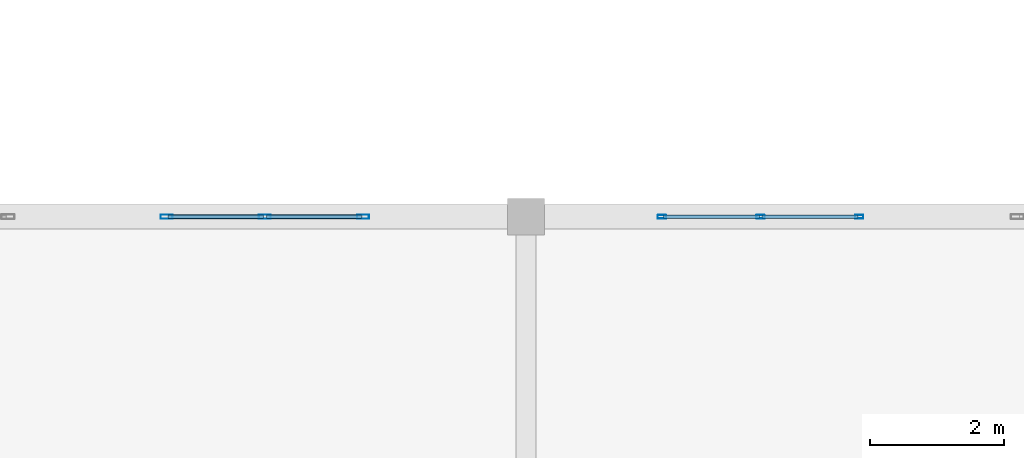
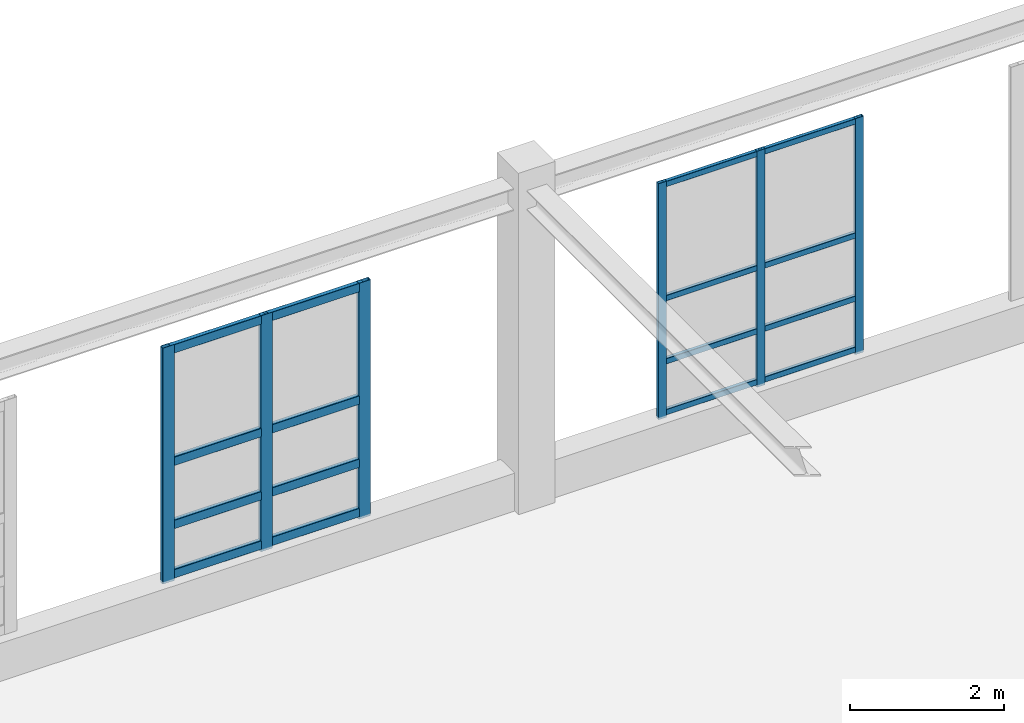
# One storey, part 87 of 197: 22 members, 2 elements without a shape of their own.
"""IFC4 building model written with IfcOpenShell, lengths in metres."""

import ifcopenshell
import ifcopenshell.guid

model = None  # the IFC model being written
_history = None  # IfcOwnerHistory: only IFC2X3 demands one
_inside = {}  # id of a spatial element -> (the spatial element, [elements in it])
_under = {}  # id of a project, library or spatial element -> (it, [spatial elements below it])
_declared = {}  # id of a project -> (the project, [libraries it declares])
_typed = {}  # id of a type object -> (the type object, [elements of that type])
_made_of = {}  # id of a material, layer set ... -> (it, [elements and type objects made of it])


def new_model(schema):
    """Start an empty IFC model of exactly this schema.

    Asked for "IFC4X3", IfcOpenShell would pick the latest addendum, in which some entities
    have other attributes; the version numbers below select the first issue.
    IFC2X3 requires an IfcOwnerHistory on every rooted entity: one is made here for all.
    """
    global model, _history
    if schema == "IFC4X3":
        model = ifcopenshell.file(schema_version=(4, 3, 0, 0))
    else:
        model = ifcopenshell.file(schema=schema)
    _inside.clear()
    _under.clear()
    _declared.clear()
    _typed.clear()
    _made_of.clear()
    _history = None
    if model.schema == "IFC2X3":
        org = make("IfcOrganization", Name="unknown")
        user = make(
            "IfcPersonAndOrganization",
            ThePerson=make("IfcPerson", FamilyName="unknown"),
            TheOrganization=org,
        )
        app = make(
            "IfcApplication",
            ApplicationDeveloper=org,
            Version="unknown",
            ApplicationFullName="unknown",
            ApplicationIdentifier="unknown",
        )
        _history = make(
            "IfcOwnerHistory",
            OwningUser=user,
            OwningApplication=app,
            ChangeAction="ADDED",
            CreationDate=0,
        )
    return model


def make(cls, **values):
    """One entity of the class cls with the attributes given. An attribute that is None is left unset."""
    return model.create_entity(
        cls, **{name: value for name, value in values.items() if value is not None}
    )


def rooted(cls, **values):
    """An entity with a GlobalId (a new one), such as an element, a storey or a relation."""
    return make(cls, GlobalId=ifcopenshell.guid.new(), OwnerHistory=_history, **values)


def si_unit(unit_type, name, prefix=None):
    """IfcSIUnit, for example si_unit("LENGTHUNIT", "METRE", prefix="MILLI")."""
    return make("IfcSIUnit", UnitType=unit_type, Prefix=prefix, Name=name)


def derived_unit(unit_type, elements):
    """IfcDerivedUnit: a product of units, each with its exponent."""
    return make(
        "IfcDerivedUnit",
        Elements=[
            make("IfcDerivedUnitElement", Unit=unit, Exponent=power)
            for unit, power in elements
        ],
        UnitType=unit_type,
    )


def assignment(units):
    """IfcUnitAssignment: the units of a project."""
    return None if units is None else make("IfcUnitAssignment", Units=units)


def point(xyz):
    """IfcCartesianPoint."""
    return None if xyz is None else make("IfcCartesianPoint", Coordinates=xyz)


def direction(xyz):
    """IfcDirection."""
    return None if xyz is None else make("IfcDirection", DirectionRatios=xyz)


def frame(location, z_axis=None, x_axis=None):
    """IfcAxis2Placement3D, a coordinate frame: its origin and axes. An axis left out is left unset."""
    return make(
        "IfcAxis2Placement3D",
        Location=point(location),
        Axis=direction(z_axis),
        RefDirection=direction(x_axis),
    )


def frame_2d(location, x_axis=None):
    """IfcAxis2Placement2D, a coordinate frame in the plane: its origin and x axis."""
    return make(
        "IfcAxis2Placement2D", Location=point(location), RefDirection=direction(x_axis)
    )


def origin():
    """The frame at (0, 0, 0) with its axes left unset."""
    return frame((0.0, 0.0, 0.0))


def origin_2d():
    """The frame at (0, 0) in the plane with its x axis left unset."""
    return frame_2d((0.0, 0.0))


def place(relative_to, where):
    """IfcLocalPlacement: puts the frame where relative to a parent placement (None: the world)."""
    return make(
        "IfcLocalPlacement", PlacementRelTo=relative_to, RelativePlacement=where
    )


def context(
    kind, dimensions, precision=None, world=None, true_north=None, identifier=None
):
    """IfcGeometricRepresentationContext, for example the 3D "Model" context."""
    return make(
        "IfcGeometricRepresentationContext",
        ContextIdentifier=identifier,
        ContextType=kind,
        CoordinateSpaceDimension=dimensions,
        Precision=precision,
        WorldCoordinateSystem=world,
        TrueNorth=true_north,
    )


def subcontext(parent, identifier, kind, view, scale=None):
    """IfcGeometricRepresentationSubContext, for example "Body" below "Model"."""
    return make(
        "IfcGeometricRepresentationSubContext",
        ContextIdentifier=identifier,
        ContextType=kind,
        ParentContext=parent,
        TargetScale=scale,
        TargetView=view,
    )


def project(units=None, contexts=None):
    """IfcProject with its units and contexts."""
    return rooted(
        "IfcProject",
        Name="project",
        RepresentationContexts=contexts,
        UnitsInContext=assignment(units),
    )


def spatial(cls, under=None, at=None, **own):
    """A site, building, storey or space (cls), placed at a placement, below another one or the project."""
    s = rooted(cls, ObjectPlacement=at, **own)
    if under is not None:
        _under.setdefault(under.id(), (under, []))[1].append(s)
    return s


def profile(cls, at=None, kind="AREA", **sizes):
    """A parametric profile (cls). Its sizes go by their IFC names, for example OverallWidth=200.0."""
    return make(cls, ProfileType=kind, Position=at, **sizes)


def hollow_rectangle(**sizes):
    """IfcRectangleHollowProfileDef."""
    return profile("IfcRectangleHollowProfileDef", **sizes)


def extrude(swept, where, along, depth):
    """IfcExtrudedAreaSolid: the profile swept, set in the frame where, extruded along a direction by depth."""
    return make(
        "IfcExtrudedAreaSolid",
        SweptArea=swept,
        Position=where,
        ExtrudedDirection=direction(along),
        Depth=depth,
    )


def shape(context_of_items, identifier, shape_type, items):
    """IfcShapeRepresentation: the items that make up one representation, for example the "Body"."""
    return make(
        "IfcShapeRepresentation",
        ContextOfItems=context_of_items,
        RepresentationIdentifier=identifier,
        RepresentationType=shape_type,
        Items=items,
    )


def material(Name=None, Category=None):
    """IfcMaterial."""
    return make("IfcMaterial", Name=Name, Category=Category)


def layer(
    of_material, thickness, ventilated=None, Name=None, Category=None, Priority=None
):
    """IfcMaterialLayer: one layer of a wall or slab, of a material (None: an air gap)."""
    return make(
        "IfcMaterialLayer",
        Material=of_material,
        LayerThickness=thickness,
        IsVentilated=ventilated,
        Name=Name,
        Category=Category,
        Priority=Priority,
    )


def layer_set(layers, Name=None):
    """IfcMaterialLayerSet."""
    return make("IfcMaterialLayerSet", MaterialLayers=layers, LayerSetName=Name)


def material_profile(
    of_material, cross_section, Name=None, Category=None, Priority=None
):
    """IfcMaterialProfile: a cross section and its material."""
    return make(
        "IfcMaterialProfile",
        Name=Name,
        Material=of_material,
        Profile=cross_section,
        Priority=Priority,
        Category=Category,
    )


def profile_set(profiles, Name=None, composite=None):
    """IfcMaterialProfileSet."""
    return make(
        "IfcMaterialProfileSet",
        Name=Name,
        MaterialProfiles=profiles,
        CompositeProfile=composite,
    )


def made_of(thing, what):
    """Note that an element or type object is made of a material, layer set ...; save() writes the relation."""
    if what is not None:
        _made_of.setdefault(what.id(), (what, []))[1].append(thing)
    return thing


def type_object(cls, material=None, **own):
    """A type object (cls), such as IfcWallType, which elements share."""
    return made_of(rooted(cls, **own), material)


def element(
    cls,
    number,
    at=None,
    inside=None,
    cuts=None,
    type_object=None,
    material=None,
    context=None,
    identifier="Body",
    shape_type=None,
    held_by="IfcProductDefinitionShape",
    body=None,
    shapes=None,
    **own,
):
    """One element of the class cls, such as IfcWall. Its Tag is "e" and its number.

    at: its placement. inside: the storey or other place that contains it. cuts: it is an
    opening in that element (IfcRelVoidsElement). A single representation is given by context,
    identifier, shape_type and body (its items); several are given by shapes. held_by: the class
    of the entity that holds the representations. save() writes the other relations.
    """
    e = rooted(cls, Tag="e%d" % number, ObjectPlacement=at, **own)
    if body is not None:
        shapes = [shape(context, identifier, shape_type, body)]
    if shapes is not None:
        e.Representation = make(held_by, Representations=shapes)
    if inside is not None:
        _inside.setdefault(inside.id(), (inside, []))[1].append(e)
    if cuts is not None:
        rooted(
            "IfcRelVoidsElement", RelatingBuildingElement=cuts, RelatedOpeningElement=e
        )
    if type_object is not None:
        _typed.setdefault(type_object.id(), (type_object, []))[1].append(e)
    return made_of(e, material)


def aggregate(whole, parts):
    """IfcRelAggregates: a whole, such as a stair, and the parts it consists of."""
    return rooted("IfcRelAggregates", RelatingObject=whole, RelatedObjects=parts)


def save(model, path):
    """Write the relations noted so far, then the file.

    IfcRelAggregates (storeys below a building ...), IfcRelContainedInSpatialStructure (elements
    in a storey), IfcRelDefinesByType, IfcRelAssociatesMaterial and IfcRelDeclares: one each for
    every whole, place, type object, material and project.
    """
    for whole, parts in _under.values():
        aggregate(whole, parts)
    for where, things in _inside.values():
        rooted(
            "IfcRelContainedInSpatialStructure",
            RelatedElements=things,
            RelatingStructure=where,
        )
    for kind, things in _typed.values():
        rooted("IfcRelDefinesByType", RelatedObjects=things, RelatingType=kind)
    for what, things in _made_of.values():
        rooted("IfcRelAssociatesMaterial", RelatedObjects=things, RelatingMaterial=what)
    for by, libraries in _declared.values():
        rooted("IfcRelDeclares", RelatingContext=by, RelatedDefinitions=libraries)
    model.write(path)


model = new_model("IFC4")

# Units and contexts
model_context = context("Model", 3, precision=1e-05, world=origin(), true_north=direction((0.0, 1.0)))
body_context = subcontext(model_context, "Body", "Model", "MODEL_VIEW")
ifc_project = project(units=[si_unit("LENGTHUNIT", "METRE"), si_unit("AREAUNIT", "SQUARE_METRE"), si_unit("VOLUMEUNIT", "CUBIC_METRE"), si_unit("PLANEANGLEUNIT", "RADIAN"), si_unit("MASSUNIT", "GRAM", prefix="KILO"), derived_unit("THERMALTRANSMITTANCEUNIT", [(si_unit("POWERUNIT", "WATT"), 1), (si_unit("LENGTHUNIT", "METRE"), -2), (si_unit("THERMODYNAMICTEMPERATUREUNIT", "KELVIN"), -1)])], contexts=[model_context])

# Site, building, storey
site_placement = place(None, origin())
site = spatial("IfcSite", under=ifc_project, at=site_placement, CompositionType="ELEMENT")
building_placement = place(site_placement, origin())
building = spatial("IfcBuilding", under=site, at=building_placement, Name="Almenara Railside Exhibition Hall", CompositionType="ELEMENT")
storey_placement = place(building_placement, frame((0.0, 0.0, 5.39990234375)))
storey = spatial("IfcBuildingStorey", under=building, at=storey_placement, Name="L01", CompositionType="ELEMENT", Elevation=5.39990234375)

# Curtain wall, members
ifc_material_1 = material(Name="Bronze-anodised aluminium and low-E double glazing", Category="aluminium")
ifc_layer = layer(ifc_material_1, 0.179931640625, Name="Bronze-anodised aluminium and low-E double glazing")
ifc_layer_set = layer_set([ifc_layer], Name="Bronze-anodised aluminium and low-E double glazing")
curtain_wall_type = type_object("IfcCurtainWallType", Name="Courtyard North Galeria Curtain Wall 3000x3700", PredefinedType="NOTDEFINED", material=ifc_layer_set)
curtain_wall_1_placement = place(storey_placement, origin())
curtain_wall_1 = element("IfcCurtainWall", 1, at=curtain_wall_1_placement, inside=storey, type_object=curtain_wall_type, Name="Curtain wall CW-CY1-138", PredefinedType="NOTDEFINED")
ifc_material_2 = material(Name="Bronze-anodised aluminium", Category="aluminium")
ifc_material_profile_1 = material_profile(ifc_material_2, hollow_rectangle(XDim=0.054931640625, YDim=0.125, WallThickness=0.0029296875, InnerFilletRadius=0.0029296875, OuterFilletRadius=0.006103515625, at=origin_2d()), Name="ALU-MUL 55x125x3")
ifc_profile_set_1 = profile_set([ifc_material_profile_1], Name="Bronze-anodised aluminium")
member_type_1 = type_object("IfcMemberType", Name="Curtain Wall Mullion 55x125x3", PredefinedType="MULLION", material=ifc_profile_set_1)
member_1_placement = place(storey_placement, frame((104.027587890625, 108.0, 0.565185546875), z_axis=(0.0, 0.0, 1.0), x_axis=(0.0, 1.0, 0.0)))
member_1 = element("IfcMember", 2, at=member_1_placement, type_object=member_type_1, Name="CW-CY1-138 mullion 1", PredefinedType="MULLION", context=body_context, shape_type="SweptSolid", body=[
    extrude(hollow_rectangle(XDim=0.054931640625, YDim=0.125, WallThickness=0.0029296875, InnerFilletRadius=0.0029296875, OuterFilletRadius=0.006103515625, at=origin_2d()), origin(), (0.0, 0.0, 1.0), 3.73486328125),
])
member_2_placement = place(storey_placement, frame((105.5, 108.0, 0.565185546875), z_axis=(0.0, 0.0, 1.0), x_axis=(0.0, 1.0, 0.0)))
member_2 = element("IfcMember", 3, at=member_2_placement, type_object=member_type_1, Name="CW-CY1-138 mullion 2", PredefinedType="MULLION", context=body_context, shape_type="SweptSolid", body=[
    extrude(hollow_rectangle(XDim=0.054931640625, YDim=0.125, WallThickness=0.0029296875, InnerFilletRadius=0.0029296875, OuterFilletRadius=0.006103515625, at=origin_2d()), origin(), (0.0, 0.0, 1.0), 3.73486328125),
])
member_3_placement = place(storey_placement, frame((106.972412109375, 108.0, 0.565185546875), z_axis=(0.0, 0.0, 1.0), x_axis=(0.0, 1.0, 0.0)))
member_3 = element("IfcMember", 4, at=member_3_placement, type_object=member_type_1, Name="CW-CY1-138 mullion 3", PredefinedType="MULLION", context=body_context, shape_type="SweptSolid", body=[
    extrude(hollow_rectangle(XDim=0.054931640625, YDim=0.125, WallThickness=0.0029296875, InnerFilletRadius=0.0029296875, OuterFilletRadius=0.006103515625, at=origin_2d()), origin(), (0.0, 0.0, 1.0), 3.73486328125),
])

curtain_wall_2_placement = place(storey_placement, origin())
curtain_wall_2 = element("IfcCurtainWall", 5, at=curtain_wall_2_placement, inside=storey, type_object=curtain_wall_type, Name="Curtain wall CW-CY1-132", PredefinedType="NOTDEFINED")
ifc_material_profile_2 = material_profile(ifc_material_2, hollow_rectangle(XDim=0.06494140625, YDim=0.179931640625, WallThickness=0.00390625, InnerFilletRadius=0.00390625, OuterFilletRadius=0.008056640625, at=origin_2d()), Name="ALU-MUL 65x180x4")
ifc_profile_set_2 = profile_set([ifc_material_profile_2], Name="Bronze-anodised aluminium")
member_type_2 = type_object("IfcMemberType", Name="Curtain Wall Mullion 65x180x4", PredefinedType="MULLION", material=ifc_profile_set_2)
member_4_placement = place(storey_placement, frame((96.632568359375, 108.0, 0.565185546875), z_axis=(0.0, 0.0, 1.0), x_axis=(0.0, 1.0, 0.0)))
member_4 = element("IfcMember", 6, at=member_4_placement, type_object=member_type_2, Name="CW-CY1-132 mullion 1", PredefinedType="MULLION", context=body_context, shape_type="SweptSolid", body=[
    extrude(hollow_rectangle(XDim=0.06494140625, YDim=0.179931640625, WallThickness=0.00390625, InnerFilletRadius=0.00390625, OuterFilletRadius=0.008056640625, at=origin_2d()), origin(), (0.0, 0.0, 1.0), 3.73486328125),
])
member_5_placement = place(storey_placement, frame((98.10009765625, 108.0, 0.565185546875), z_axis=(0.0, 0.0, 1.0), x_axis=(0.0, 1.0, 0.0)))
member_5 = element("IfcMember", 7, at=member_5_placement, type_object=member_type_2, Name="CW-CY1-132 mullion 2", PredefinedType="MULLION", context=body_context, shape_type="SweptSolid", body=[
    extrude(hollow_rectangle(XDim=0.06494140625, YDim=0.179931640625, WallThickness=0.00390625, InnerFilletRadius=0.00390625, OuterFilletRadius=0.008056640625, at=origin_2d()), origin(), (0.0, 0.0, 1.0), 3.73486328125),
])
member_6_placement = place(storey_placement, frame((99.5673828125, 108.0, 0.565185546875), z_axis=(0.0, 0.0, 1.0), x_axis=(0.0, 1.0, 0.0)))
member_6 = element("IfcMember", 8, at=member_6_placement, type_object=member_type_2, Name="CW-CY1-132 mullion 3", PredefinedType="MULLION", context=body_context, shape_type="SweptSolid", body=[
    extrude(hollow_rectangle(XDim=0.06494140625, YDim=0.179931640625, WallThickness=0.00390625, InnerFilletRadius=0.00390625, OuterFilletRadius=0.008056640625, at=origin_2d()), origin(), (0.0, 0.0, 1.0), 3.73486328125),
])

# Member
ifc_material_profile_3 = material_profile(ifc_material_2, hollow_rectangle(XDim=0.054931640625, YDim=0.090087890625, WallThickness=0.0029296875, InnerFilletRadius=0.0029296875, OuterFilletRadius=0.006103515625, at=origin_2d()), Name="ALU-TRN 55x90x3")
ifc_profile_set_3 = profile_set([ifc_material_profile_3], Name="Bronze-anodised aluminium")
member_type_3 = type_object("IfcMemberType", Name="Curtain Wall Transom 55x90x3", PredefinedType="USERDEFINED", material=ifc_profile_set_3)
member_7_placement = place(storey_placement, frame((104.047119140625, 108.0, 0.64501953125), z_axis=(1.0, 0.0, 0.0), x_axis=(0.0, 1.0, 0.0)))
member_7 = element("IfcMember", 9, at=member_7_placement, type_object=member_type_3, Name="CW-CY1-138 transom 1.1", ObjectType="TRANSOM", PredefinedType="USERDEFINED", context=body_context, shape_type="SweptSolid", body=[
    extrude(hollow_rectangle(XDim=0.054931640625, YDim=0.090087890625, WallThickness=0.0029296875, InnerFilletRadius=0.0029296875, OuterFilletRadius=0.006103515625, at=origin_2d()), origin(), (0.0, 0.0, 1.0), 1.433349609375),
])

member_8_placement = place(storey_placement, frame((104.047119140625, 108.0, 1.4501953125), z_axis=(1.0, 0.0, 0.0), x_axis=(0.0, 1.0, 0.0)))
member_8 = element("IfcMember", 10, at=member_8_placement, type_object=member_type_3, Name="CW-CY1-138 transom 1.2", ObjectType="TRANSOM", PredefinedType="USERDEFINED", context=body_context, shape_type="SweptSolid", body=[
    extrude(hollow_rectangle(XDim=0.054931640625, YDim=0.090087890625, WallThickness=0.0029296875, InnerFilletRadius=0.0029296875, OuterFilletRadius=0.006103515625, at=origin_2d()), origin(), (0.0, 0.0, 1.0), 1.433349609375),
])

member_9_placement = place(storey_placement, frame((104.047119140625, 108.0, 2.4501953125), z_axis=(1.0, 0.0, 0.0), x_axis=(0.0, 1.0, 0.0)))
member_9 = element("IfcMember", 11, at=member_9_placement, type_object=member_type_3, Name="CW-CY1-138 transom 1.3", ObjectType="TRANSOM", PredefinedType="USERDEFINED", context=body_context, shape_type="SweptSolid", body=[
    extrude(hollow_rectangle(XDim=0.054931640625, YDim=0.090087890625, WallThickness=0.0029296875, InnerFilletRadius=0.0029296875, OuterFilletRadius=0.006103515625, at=origin_2d()), origin(), (0.0, 0.0, 1.0), 1.433349609375),
])

member_10_placement = place(storey_placement, frame((104.047119140625, 108.0, 4.255126953125), z_axis=(1.0, 0.0, 0.0), x_axis=(0.0, 1.0, 0.0)))
member_10 = element("IfcMember", 12, at=member_10_placement, type_object=member_type_3, Name="CW-CY1-138 transom 1.4", ObjectType="TRANSOM", PredefinedType="USERDEFINED", context=body_context, shape_type="SweptSolid", body=[
    extrude(hollow_rectangle(XDim=0.054931640625, YDim=0.090087890625, WallThickness=0.0029296875, InnerFilletRadius=0.0029296875, OuterFilletRadius=0.006103515625, at=origin_2d()), origin(), (0.0, 0.0, 1.0), 1.433349609375),
])

member_11_placement = place(storey_placement, frame((105.51953125, 108.0, 0.64501953125), z_axis=(1.0, 0.0, 0.0), x_axis=(0.0, 1.0, 0.0)))
member_11 = element("IfcMember", 13, at=member_11_placement, type_object=member_type_3, Name="CW-CY1-138 transom 2.1", ObjectType="TRANSOM", PredefinedType="USERDEFINED", context=body_context, shape_type="SweptSolid", body=[
    extrude(hollow_rectangle(XDim=0.054931640625, YDim=0.090087890625, WallThickness=0.0029296875, InnerFilletRadius=0.0029296875, OuterFilletRadius=0.006103515625, at=origin_2d()), origin(), (0.0, 0.0, 1.0), 1.433349609375),
])

member_12_placement = place(storey_placement, frame((105.51953125, 108.0, 1.4501953125), z_axis=(1.0, 0.0, 0.0), x_axis=(0.0, 1.0, 0.0)))
member_12 = element("IfcMember", 14, at=member_12_placement, type_object=member_type_3, Name="CW-CY1-138 transom 2.2", ObjectType="TRANSOM", PredefinedType="USERDEFINED", context=body_context, shape_type="SweptSolid", body=[
    extrude(hollow_rectangle(XDim=0.054931640625, YDim=0.090087890625, WallThickness=0.0029296875, InnerFilletRadius=0.0029296875, OuterFilletRadius=0.006103515625, at=origin_2d()), origin(), (0.0, 0.0, 1.0), 1.433349609375),
])

member_13_placement = place(storey_placement, frame((105.51953125, 108.0, 2.4501953125), z_axis=(1.0, 0.0, 0.0), x_axis=(0.0, 1.0, 0.0)))
member_13 = element("IfcMember", 15, at=member_13_placement, type_object=member_type_3, Name="CW-CY1-138 transom 2.3", ObjectType="TRANSOM", PredefinedType="USERDEFINED", context=body_context, shape_type="SweptSolid", body=[
    extrude(hollow_rectangle(XDim=0.054931640625, YDim=0.090087890625, WallThickness=0.0029296875, InnerFilletRadius=0.0029296875, OuterFilletRadius=0.006103515625, at=origin_2d()), origin(), (0.0, 0.0, 1.0), 1.433349609375),
])

member_14_placement = place(storey_placement, frame((105.51953125, 108.0, 4.255126953125), z_axis=(1.0, 0.0, 0.0), x_axis=(0.0, 1.0, 0.0)))
member_14 = element("IfcMember", 16, at=member_14_placement, type_object=member_type_3, Name="CW-CY1-138 transom 2.4", ObjectType="TRANSOM", PredefinedType="USERDEFINED", context=body_context, shape_type="SweptSolid", body=[
    extrude(hollow_rectangle(XDim=0.054931640625, YDim=0.090087890625, WallThickness=0.0029296875, InnerFilletRadius=0.0029296875, OuterFilletRadius=0.006103515625, at=origin_2d()), origin(), (0.0, 0.0, 1.0), 1.433349609375),
])

aggregate(curtain_wall_1, [member_1, member_2, member_3, member_7, member_8, member_9, member_10, member_11, member_12, member_13, member_14])

ifc_material_profile_4 = material_profile(ifc_material_2, hollow_rectangle(XDim=0.06494140625, YDim=0.139892578125, WallThickness=0.00341796875, InnerFilletRadius=0.00341796875, OuterFilletRadius=0.007080078125, at=origin_2d()), Name="ALU-TRN 65x140x3.5")
ifc_profile_set_4 = profile_set([ifc_material_profile_4], Name="Bronze-anodised aluminium")
member_type_4 = type_object("IfcMemberType", Name="Curtain Wall Transom 65x140x3.5", PredefinedType="USERDEFINED", material=ifc_profile_set_4)
member_15_placement = place(storey_placement, frame((96.656982421875, 108.0, 0.670166015625), z_axis=(1.0, 0.0, 0.0), x_axis=(0.0, 1.0, 0.0)))
member_15 = element("IfcMember", 17, at=member_15_placement, type_object=member_type_4, Name="CW-CY1-132 transom 1.1", ObjectType="TRANSOM", PredefinedType="USERDEFINED", context=body_context, shape_type="SweptSolid", body=[
    extrude(hollow_rectangle(XDim=0.06494140625, YDim=0.139892578125, WallThickness=0.00341796875, InnerFilletRadius=0.00341796875, OuterFilletRadius=0.007080078125, at=origin_2d()), origin(), (0.0, 0.0, 1.0), 1.41845703125),
])

member_16_placement = place(storey_placement, frame((96.656982421875, 108.0, 1.4501953125), z_axis=(1.0, 0.0, 0.0), x_axis=(0.0, 1.0, 0.0)))
member_16 = element("IfcMember", 18, at=member_16_placement, type_object=member_type_4, Name="CW-CY1-132 transom 1.2", ObjectType="TRANSOM", PredefinedType="USERDEFINED", context=body_context, shape_type="SweptSolid", body=[
    extrude(hollow_rectangle(XDim=0.06494140625, YDim=0.139892578125, WallThickness=0.00341796875, InnerFilletRadius=0.00341796875, OuterFilletRadius=0.007080078125, at=origin_2d()), origin(), (0.0, 0.0, 1.0), 1.41845703125),
])

member_17_placement = place(storey_placement, frame((96.656982421875, 108.0, 2.4501953125), z_axis=(1.0, 0.0, 0.0), x_axis=(0.0, 1.0, 0.0)))
member_17 = element("IfcMember", 19, at=member_17_placement, type_object=member_type_4, Name="CW-CY1-132 transom 1.3", ObjectType="TRANSOM", PredefinedType="USERDEFINED", context=body_context, shape_type="SweptSolid", body=[
    extrude(hollow_rectangle(XDim=0.06494140625, YDim=0.139892578125, WallThickness=0.00341796875, InnerFilletRadius=0.00341796875, OuterFilletRadius=0.007080078125, at=origin_2d()), origin(), (0.0, 0.0, 1.0), 1.41845703125),
])

member_18_placement = place(storey_placement, frame((96.656982421875, 108.0, 4.22998046875), z_axis=(1.0, 0.0, 0.0), x_axis=(0.0, 1.0, 0.0)))
member_18 = element("IfcMember", 20, at=member_18_placement, type_object=member_type_4, Name="CW-CY1-132 transom 1.4", ObjectType="TRANSOM", PredefinedType="USERDEFINED", context=body_context, shape_type="SweptSolid", body=[
    extrude(hollow_rectangle(XDim=0.06494140625, YDim=0.139892578125, WallThickness=0.00341796875, InnerFilletRadius=0.00341796875, OuterFilletRadius=0.007080078125, at=origin_2d()), origin(), (0.0, 0.0, 1.0), 1.41845703125),
])

member_19_placement = place(storey_placement, frame((98.12451171875, 108.0, 0.670166015625), z_axis=(1.0, 0.0, 0.0), x_axis=(0.0, 1.0, 0.0)))
member_19 = element("IfcMember", 21, at=member_19_placement, type_object=member_type_4, Name="CW-CY1-132 transom 2.1", ObjectType="TRANSOM", PredefinedType="USERDEFINED", context=body_context, shape_type="SweptSolid", body=[
    extrude(hollow_rectangle(XDim=0.06494140625, YDim=0.139892578125, WallThickness=0.00341796875, InnerFilletRadius=0.00341796875, OuterFilletRadius=0.007080078125, at=origin_2d()), origin(), (0.0, 0.0, 1.0), 1.41845703125),
])

member_20_placement = place(storey_placement, frame((98.12451171875, 108.0, 1.4501953125), z_axis=(1.0, 0.0, 0.0), x_axis=(0.0, 1.0, 0.0)))
member_20 = element("IfcMember", 22, at=member_20_placement, type_object=member_type_4, Name="CW-CY1-132 transom 2.2", ObjectType="TRANSOM", PredefinedType="USERDEFINED", context=body_context, shape_type="SweptSolid", body=[
    extrude(hollow_rectangle(XDim=0.06494140625, YDim=0.139892578125, WallThickness=0.00341796875, InnerFilletRadius=0.00341796875, OuterFilletRadius=0.007080078125, at=origin_2d()), origin(), (0.0, 0.0, 1.0), 1.41845703125),
])

member_21_placement = place(storey_placement, frame((98.12451171875, 108.0, 2.4501953125), z_axis=(1.0, 0.0, 0.0), x_axis=(0.0, 1.0, 0.0)))
member_21 = element("IfcMember", 23, at=member_21_placement, type_object=member_type_4, Name="CW-CY1-132 transom 2.3", ObjectType="TRANSOM", PredefinedType="USERDEFINED", context=body_context, shape_type="SweptSolid", body=[
    extrude(hollow_rectangle(XDim=0.06494140625, YDim=0.139892578125, WallThickness=0.00341796875, InnerFilletRadius=0.00341796875, OuterFilletRadius=0.007080078125, at=origin_2d()), origin(), (0.0, 0.0, 1.0), 1.41845703125),
])

member_22_placement = place(storey_placement, frame((98.12451171875, 108.0, 4.22998046875), z_axis=(1.0, 0.0, 0.0), x_axis=(0.0, 1.0, 0.0)))
member_22 = element("IfcMember", 24, at=member_22_placement, type_object=member_type_4, Name="CW-CY1-132 transom 2.4", ObjectType="TRANSOM", PredefinedType="USERDEFINED", context=body_context, shape_type="SweptSolid", body=[
    extrude(hollow_rectangle(XDim=0.06494140625, YDim=0.139892578125, WallThickness=0.00341796875, InnerFilletRadius=0.00341796875, OuterFilletRadius=0.007080078125, at=origin_2d()), origin(), (0.0, 0.0, 1.0), 1.41845703125),
])

aggregate(curtain_wall_2, [member_4, member_5, member_6, member_15, member_16, member_17, member_18, member_19, member_20, member_21, member_22])

save(model, "model.ifc")
